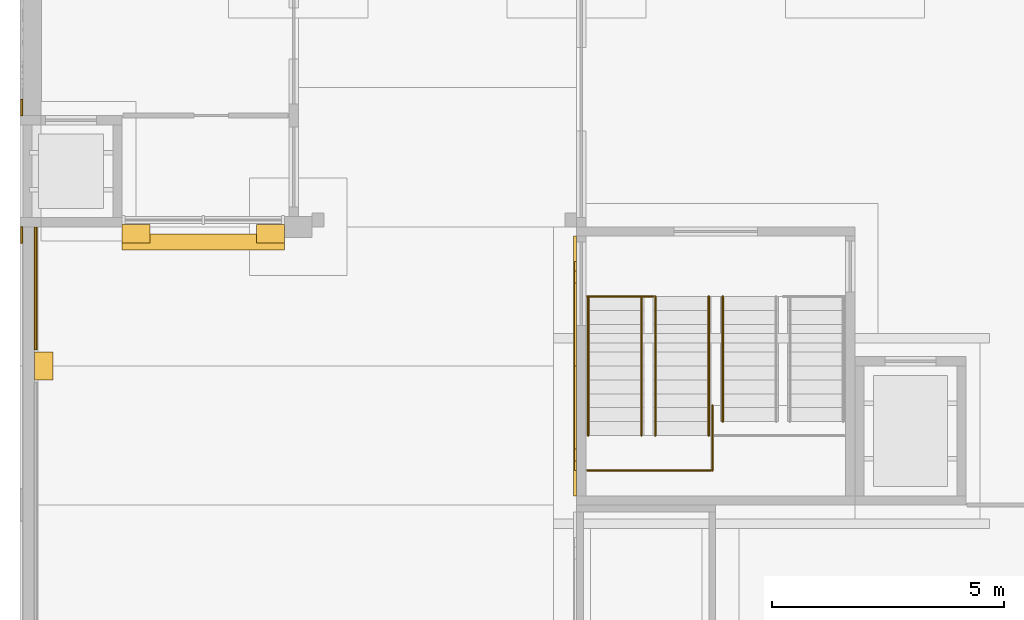
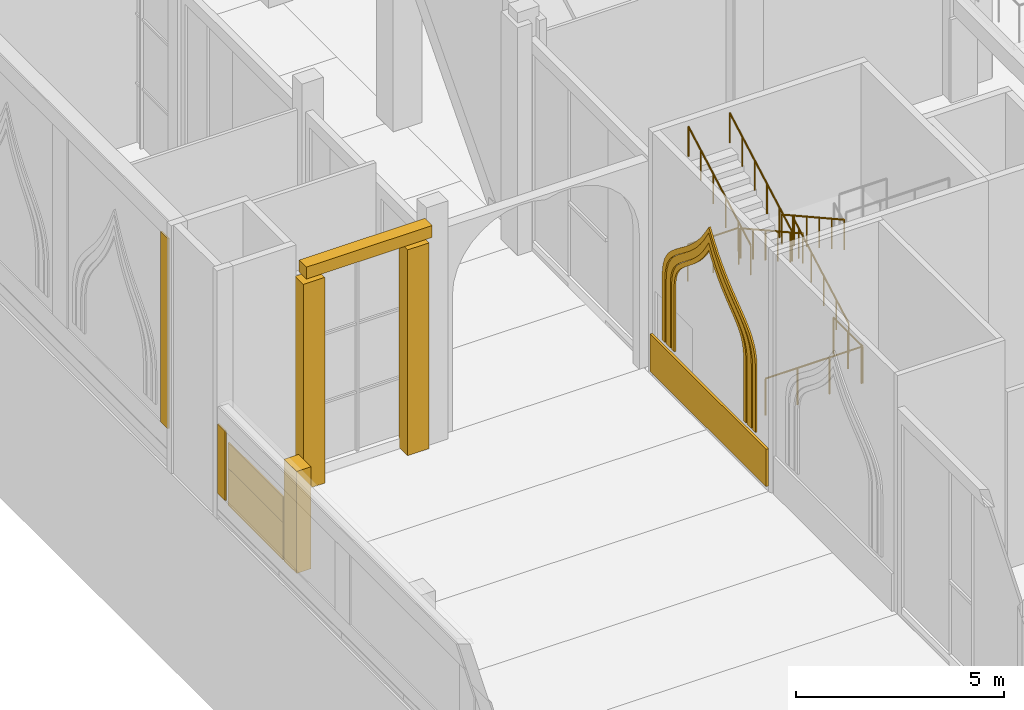
# One storey, part 82 of 95: 12 coverings, 8 railings.
"""IFC4 building model written with IfcOpenShell, lengths in metres."""

from ifc_helpers import new_model, si_unit, direction, frame, origin, origin_2d, place, context, subcontext, project, spatial, polyline, rectangle, circle, outline, extrude, material, layer, layer_set, type_object, element, save


model = new_model("IFC4")

# Units and contexts
model_context = context("Model", 3, precision=1e-05, world=origin(), true_north=direction((0.0, 1.0)))
body_context = subcontext(model_context, "Body", "Model", "MODEL_VIEW")
ifc_project = project(units=[si_unit("LENGTHUNIT", "METRE"), si_unit("AREAUNIT", "SQUARE_METRE"), si_unit("VOLUMEUNIT", "CUBIC_METRE"), si_unit("PLANEANGLEUNIT", "RADIAN"), si_unit("MASSUNIT", "GRAM", prefix="KILO")], contexts=[model_context])

# Site, building, storey
site_placement = place(None, origin())
site = spatial("IfcSite", under=ifc_project, at=site_placement, CompositionType="ELEMENT")
building_placement = place(site_placement, origin())
building = spatial("IfcBuilding", under=site, at=building_placement, Name="Saffron Lane Theatres", CompositionType="ELEMENT")
storey_placement = place(building_placement, origin())
storey = spatial("IfcBuildingStorey", under=building, at=storey_placement, Name="L00", CompositionType="ELEMENT", Elevation=0.0)

# Coverings
ifc_material_1 = material(Name="Masonry sandstone", Category="masonry")
ifc_layer_1 = layer(ifc_material_1, 0.050048828125)
ifc_layer_set_1 = layer_set([ifc_layer_1], Name="Masonry sandstone")
covering_type_1 = type_object("IfcCoveringType", Name="EX-ARCH FRAME RING SANDSTONE 50", PredefinedType="CLADDING", material=ifc_layer_set_1)
covering_1_placement = place(storey_placement, frame((12.0, 97.220947265625, 3.31103515625), z_axis=(1.0, 0.0, 0.0), x_axis=(0.0, -0.060212267817, -0.99818559537)))
element("IfcCovering", 1, at=covering_1_placement, inside=storey, type_object=covering_type_1, Name="Arch recess ring L00", PredefinedType="CLADDING", context=body_context, shape_type="SweptSolid", body=[
    extrude(outline(polyline([(0.0, 0.0), (0.18245996245064686, -1.734723475976807e-18), (2.0579571162514476, 0.11313320632846652), (2.050724587988245, 0.2330324526473327), (0.17912659666935885, 0.12013445049002722), (0.008910318017484561, 0.11989467290442692), (-0.13960380243034332, 0.14101992754420883), (-0.27042632246488074, 0.1810670310814375), (-0.3880257946657277, 0.2370760043565431), (-0.4986122624964559, 0.31062892209304366), (-0.603885402766164, 0.39746532206832463), (-0.708349375352586, 0.499270180830787), (-0.8142206528964551, 0.6122410309466604), (-0.9258563926685295, 0.7356258724131494), (-1.0450444730420934, 0.8666264289383572), (-1.1755664544134807, 1.003057915110166), (-1.3213214992646054, 1.144685126757414), (-1.4861878630399454, 1.2868716016560897), (-1.6721445275018532, 1.4299871330308516), (-1.882826050439687, 1.5694099589183848), (-2.040617995422439, 1.659192944482378), (-1.8947626621261104, 1.767292454875538), (-1.7023682634960484, 1.931029511956845), (-1.5349633280344688, 2.0954604213430774), (-1.3883840885669005, 2.256433829413242), (-1.2607103643737818, 2.4145547335631594), (-1.1475346906255224, 2.5656864804325337), (-1.0449579048402078, 2.7100642741925265), (-0.9489632424503434, 2.8459737377733414), (-0.8574394193472985, 2.9708517990542433), (-0.7659704772175246, 3.0844756674175486), (-0.6718989355993618, 3.1833368806434383), (-0.5709558387862367, 3.2696496246654263), (-0.4609417011053337, 3.339388641432058), (-0.3358816832642421, 3.394871018701731), (-0.19092502590522514, 3.4327205966009036), (-0.02197296967334153, 3.4539183725267932), (1.8496250216455448, 3.5668163746840986), (1.8423924933823423, 3.6867156210029646), (-0.03310466041845825, 3.5735824146744983), (-0.2142415994063242, 3.5516496257137304), (-0.3749882967892865, 3.5079558775061255), (-0.5175148377187658, 3.446039032792898), (-0.6428401135973336, 3.366571383496617), (-0.754264496287823, 3.2715551051242904), (-0.8570526391547226, 3.163118468752466), (-0.9530868289122405, 3.044082944417697), (-1.0463985303885692, 2.9164066068448986), (-1.1423196914749458, 2.7792786549884854), (-1.2440392887253622, 2.63690924351224), (-1.3551392856631255, 2.487859380230101), (-1.480212043730155, 2.335276227621187), (-1.6211630433853152, 2.1783110906345584), (-1.7837590335640314, 2.0193065374804875), (-1.9696239030646943, 1.860855040801105), (-2.26018958268524, 1.6459480095938712), (-1.9458976822988232, 1.4675270254379955), (-1.742333698918291, 1.332566545353323), (-1.5618033906885445, 1.1942599592614251), (-1.4030062745465393, 1.0553761429328026), (-1.2604990072921967, 0.9189338765698157), (-1.132287906902467, 0.7843196692926863), (-1.0141922192349622, 0.6552098929656452), (-0.9024829781593999, 0.530606563223558), (-0.7945004165069005, 0.415072640986949), (-0.6848537853434367, 0.30844413668092546), (-0.569776224533372, 0.21314953337272505), (-0.44773825361924, 0.13221610474866663), (-0.31376922445050365, 0.06838953283459553), (-0.16477456881409536, 0.023079409295178335), (0.0, 0.0)])), origin(), (0.0, 0.0, -1.0), 0.050048828125),
])
covering_2_placement = place(storey_placement, frame((12.0, 96.962890625, 3.333984375), z_axis=(1.0, 0.0, 0.0), x_axis=(0.0, -0.063270109204, -0.997996439513)))
element("IfcCovering", 2, at=covering_2_placement, inside=storey, type_object=covering_type_1, Name="Arch recess ring L00", PredefinedType="CLADDING", context=body_context, shape_type="SweptSolid", body=[
    extrude(outline(polyline([(0.0, 0.0), (0.20451131328636926, 0.0), (2.0806276668637502, 0.11894039083684353), (2.067976734383832, 0.31849094844461956), (0.19770801619422412, 0.19992128090389083), (0.0144407216005487, 0.20053419842883544), (-0.1432761019235517, 0.22258203382804242), (-0.2812437493538364, 0.2649631093819253), (-0.40748727254448935, 0.3269240290838356), (-0.5257351802433071, 0.4055374778503005), (-0.6390348645762146, 0.5025673058291871), (-0.7523176448594566, 0.6147653124425081), (-0.8697101493553678, 0.7416252505476917), (-0.9917579708393627, 0.8801769620388366), (-1.124428821741667, 1.0280850650198985), (-1.2693046879516765, 1.1832922200669196), (-1.4318505321466313, 1.3432502874173748), (-1.61456115889787, 1.5048655345333244), (-1.820983212694718, 1.6662006990332623), (-2.0556688375324716, 1.8257440342686455), (-2.188717697959195, 1.9024406220928562), (-2.066419813119802, 1.9953254605140816), (-1.8537613307928715, 2.18322912790225), (-1.6693664195068467, 2.369340966025863), (-1.5085284672263832, 2.552736206788559), (-1.367484574206089, 2.731940991928976), (-1.2433692125785105, 2.9042014185972795), (-1.1304393771943213, 3.067679900015165), (-1.0268659333000492, 3.2205353520147404), (-0.9264340196013918, 3.3612047329002017), (-0.8282273200268198, 3.486810565389676), (-0.728088312705989, 3.597371793676754), (-0.6207149550265398, 3.69028898295165), (-0.5032452165106046, 3.766722100760383), (-0.37179612037033916, 3.82716194744152), (-0.2181263594954924, 3.868950798358842), (-0.036403745302295454, 3.8927030282829542), (1.833864972887312, 4.011272695823683), (1.8212140404073933, 4.2108232534314585), (-0.05490231316998792, 4.091882862594615), (-0.25777626523185, 4.066055806298615), (-0.4399925942549357, 4.015362892944497), (-0.6007775027933451, 3.9430333789166583), (-0.7421419898590216, 3.8499182956810216), (-0.8672570220099287, 3.7397307051813806), (-0.9817455273529403, 3.6162728527959676), (-1.0873594066215049, 3.480167565320222), (-1.1904062019339534, 3.334439793296892), (-1.295867070408131, 3.1804861609673156), (-1.405753011055981, 3.0191576997974177), (-1.527512589348264, 2.8521838689374683), (-1.6619231001204655, 2.6802492823989263), (-1.8152148514708935, 2.5051606333520864), (-1.9914252882274395, 2.3288636362032866), (-2.193447334475981, 2.15068562635549), (-2.5481036228327842, 1.8796565861857983), (-2.162059428738258, 1.6555858301906534), (-1.9391533034752475, 1.5043470465272013), (-1.7420124472922178, 1.3504962957412796), (-1.567913850947345, 1.1973864086493233), (-1.4128664100247506, 1.0438026252684656), (-1.2709950929182379, 0.8935422363416936), (-1.1416152856163493, 0.747382536704494), (-1.0175564651204108, 0.6079797937474251), (-0.896931206850517, 0.47643218780048757), (-0.77497460894489, 0.35475421526521117), (-0.6458116397973328, 0.2467431668845833), (-0.5077830794984254, 0.15323812471010928), (-0.3557911912774569, 0.07872099349623404), (-0.18709751908859773, 0.026300952584901824), (0.0, 0.0)])), origin(), (0.0, 0.0, -1.0), 0.050048828125),
])
covering_3_placement = place(storey_placement, frame((12.0, 96.763916015625, 3.34912109375), z_axis=(1.0, 0.0, 0.0), x_axis=(0.0, -0.063067105822, -0.998009288616)))
element("IfcCovering", 3, at=covering_3_placement, inside=storey, type_object=covering_type_1, Name="Arch recess ring L00", PredefinedType="CLADDING", context=body_context, shape_type="SweptSolid", body=[
    extrude(outline(polyline([(0.0, 0.0), (0.22065410238359984, 0.0), (2.095819992321758, 0.11849717929764414), (2.08699737229349, 0.2581112716747965), (0.21572995613898713, 0.13986044825926805), (0.01120324984086172, 0.1401457024385599), (-0.16661464303161863, 0.166826152522514), (-0.32408683559152085, 0.21607490839936183), (-0.46710723024222456, 0.28825340008036515), (-0.6001051004476012, 0.3799015700062919), (-0.7281663985634338, 0.4902087668589081), (-0.8536968762192425, 0.6185337089889348), (-0.9827851974313513, 0.7605775943042785), (-1.1168470981407341, 0.9155170755147107), (-1.261591713839184, 1.080789727293752), (-1.418829706234838, 1.2540794801970379), (-1.5953961004210881, 1.4312849950160573), (-1.7941531627651468, 1.6112468863933098), (-2.017809187207904, 1.7903692228565102), (-2.272363155580528, 1.966805145670982), (-2.4713360494485013, 2.0843733579964816), (-2.288745821741221, 2.2260536522840537), (-2.0584271132717276, 2.4331300879366635), (-1.859098732187894, 2.6389820376094155), (-1.684576929746966, 2.8425325046992453), (-1.5317222892143505, 3.04055509155704), (-1.3975493662817773, 3.232259946648473), (-1.2747612185768877, 3.414438770837703), (-1.1612700340241646, 3.5850218505624816), (-1.0510895267644345, 3.7421858281426754), (-0.9427115774009303, 3.8852921231996427), (-0.8295548101530967, 4.010842590258168), (-0.7091518844208844, 4.118503892521613), (-0.5763552588779816, 4.208112062862301), (-0.42633533175207877, 4.2767921389410235), (-0.2532905840955898, 4.325644618415389), (-0.050426780001745275, 4.35167406227577), (1.8208406361527578, 4.469924885691299), (1.8120180161244899, 4.609538978068451), (-0.06314787381366846, 4.491041798770807), (-0.28204669053719406, 4.463265173062264), (-0.4748093632101681, 4.409007991296921), (-0.6452138889458251, 4.329988531727125), (-0.7951660141787333, 4.229266523603667), (-0.9280950019828605, 4.110783931167464), (-1.0496511001501079, 3.9749175816724094), (-1.1644664475692028, 3.825288798534778), (-1.2765780932074908, 3.6638441173757603), (-1.3909823072355991, 3.4922248302345396), (-1.5116545496503437, 3.3114028542863916), (-1.6450992100191186, 3.1236580619491425), (-1.7933887031748097, 2.9308165121735614), (-1.9622040713945823, 2.7337423414364994), (-2.1560542756261065, 2.5341076362624033), (-2.3787173129826167, 2.333630674903618), (-2.718645480099129, 2.068745156724768), (-2.3480768001444785, 1.8487579980615008), (-2.101948365016449, 1.6779053315271268), (-1.8845095850723483, 1.5042611719162358), (-1.6922288190810568, 1.330005714760139), (-1.5208434619770204, 1.1573653473180439), (-1.3648264439093958, 0.987912479227884), (-1.2223517059274132, 0.8237195253225451), (-1.0872535978015876, 0.667867014636728), (-0.9557106319614249, 0.5218195761099406), (-0.8229728941184138, 0.38783439148665516), (-0.6852804856725893, 0.26835070815229334), (-0.5384939794994548, 0.16754415025789063), (-0.37705551126290276, 0.08649981821842358), (-0.19805932413846122, 0.029560004583244877), (0.0, 0.0)])), origin(), (0.0, 0.0, -1.0), 0.050048828125),
])
ifc_material_2 = material(Name="Masonry sandstone", Category="masonry")
ifc_layer_2 = layer(ifc_material_2, 0.0400390625)
ifc_layer_set_2 = layer_set([ifc_layer_2], Name="Masonry sandstone")
covering_type_2 = type_object("IfcCoveringType", Name="EX-BANDING COURSE SANDSTONE 40", PredefinedType="CLADDING", material=ifc_layer_set_2)
covering_4_placement = place(storey_placement, frame((0.330078125, 100.675048828125, 1.10009765625), z_axis=(0.0, 0.0, 1.0), x_axis=(0.0, 1.0, 0.0)))
element("IfcCovering", 4, at=covering_4_placement, inside=storey, type_object=covering_type_2, Name="Banding course L00", PredefinedType="CLADDING", context=body_context, shape_type="SweptSolid", body=[
    extrude(rectangle(XDim=2.64990234375, YDim=0.0400390625, at=origin_2d()), origin(), (0.0, 0.0, 1.0), 0.75),
])
ifc_material_3 = material(Name="Masonry sandstone", Category="masonry")
ifc_layer_3 = layer(ifc_material_3, 0.39990234375)
ifc_layer_set_3 = layer_set([ifc_layer_3], Name="Masonry sandstone")
covering_type_3 = type_object("IfcCoveringType", Name="EX-BOUNDARY PILASTER SANDSTONE 400", PredefinedType="CLADDING", material=ifc_layer_set_3)
covering_5_placement = place(storey_placement, frame((0.510009765625, 99.0, 0.0), z_axis=(0.0, 0.0, 1.0), x_axis=(0.0, 1.0, 0.0)))
element("IfcCovering", 5, at=covering_5_placement, inside=storey, type_object=covering_type_3, Name="Boundary wall pilaster L00", PredefinedType="CLADDING", context=body_context, shape_type="SweptSolid", body=[
    extrude(rectangle(XDim=0.60009765625, YDim=0.39990234375, at=origin_2d()), origin(), (0.0, 0.0, 1.0), 3.0),
])
ifc_material_4 = material(Name="Face brick cladding, pale buff", Category="masonry")
ifc_layer_4 = layer(ifc_material_4, 0.0400390625)
ifc_layer_set_4 = layer_set([ifc_layer_4], Name="Face brick cladding, pale buff")
covering_type_4 = type_object("IfcCoveringType", Name="EX-FACE BRICK SKIN PALE BUFF 40", PredefinedType="CLADDING", material=ifc_layer_set_4)
covering_6_placement = place(storey_placement, frame((0.0400390625, 104.574951171875, 0.89990234375), z_axis=(0.0, 0.0, 1.0), x_axis=(0.0, 1.0, 0.0)))
element("IfcCovering", 6, at=covering_6_placement, inside=storey, type_object=covering_type_4, Name="Face brick cladding, pale buff L00", PredefinedType="CLADDING", context=body_context, shape_type="SweptSolid", body=[
    extrude(rectangle(XDim=0.35009765625, YDim=0.0400390625, at=origin_2d()), origin(), (0.0, 0.0, 1.0), 5.60009765625),
])
covering_7_placement = place(storey_placement, frame((0.0400390625, 101.824951171875, 0.4501953125), z_axis=(0.0, 0.0, 1.0), x_axis=(0.0, 1.0, 0.0)))
element("IfcCovering", 7, at=covering_7_placement, inside=storey, type_object=covering_type_4, Name="Face brick cladding, pale buff L00", PredefinedType="CLADDING", context=body_context, shape_type="SweptSolid", body=[
    extrude(rectangle(XDim=0.35009765625, YDim=0.0400390625, at=origin_2d()), origin(), (0.0, 0.0, 1.0), 2.050048828125),
])
ifc_material_5 = material(Name="Masonry sandstone", Category="masonry")
ifc_layer_5 = layer(ifc_material_5, 0.39990234375)
ifc_layer_set_5 = layer_set([ifc_layer_5], Name="Masonry sandstone")
covering_type_5 = type_object("IfcCoveringType", Name="EX-PILASTER PIER SANDSTONE 400", PredefinedType="CLADDING", material=ifc_layer_set_5)
for number, where, z_axis, x_axis, name in (
    (8, (5.39990234375, 101.85009765625, 0.0), (0.0, 0.0, 1.0), (-1.0, 0.0, 0.0), "Pilaster pier L00"),
    (9, (2.5, 101.85009765625, 0.0), (0.0, 0.0, 1.0), (-1.0, 0.0, 0.0), "Pilaster pier L00"),
):
    element("IfcCovering", number, at=place(storey_placement, frame(where, z_axis=z_axis, x_axis=x_axis)), inside=storey, type_object=covering_type_5, Name=name, PredefinedType="CLADDING", context=body_context, shape_type="SweptSolid", body=[
        extrude(rectangle(XDim=0.60009765625, YDim=0.39990234375, at=origin_2d()), origin(), (0.0, 0.0, 1.0), 6.050048828125),
    ])
ifc_material_6 = material(Name="Masonry sandstone", Category="masonry")
ifc_layer_6 = layer(ifc_material_6, 0.070068359375)
ifc_layer_set_6 = layer_set([ifc_layer_6], Name="Masonry sandstone")
covering_type_6 = type_object("IfcCoveringType", Name="EX-PLINTH COURSE SANDSTONE 70", PredefinedType="CLADDING", material=ifc_layer_set_6)
covering_8_placement = place(storey_placement, frame((11.965087890625, 99.0, 0.0), z_axis=(0.0, 0.0, 1.0), x_axis=(0.0, 1.0, 0.0)))
element("IfcCovering", 10, at=covering_8_placement, inside=storey, type_object=covering_type_6, Name="Plinth course L00", PredefinedType="CLADDING", context=body_context, shape_type="SweptSolid", body=[
    extrude(rectangle(XDim=5.60009765625, YDim=0.070068359375, at=origin_2d()), origin(), (0.0, 0.0, 1.0), 1.10009765625),
])
covering_9_placement = place(storey_placement, frame((0.344970703125, 100.675048828125, 0.0), z_axis=(0.0, 0.0, 1.0), x_axis=(0.0, 1.0, 0.0)))
element("IfcCovering", 11, at=covering_9_placement, inside=storey, type_object=covering_type_6, Name="Plinth course L00", PredefinedType="CLADDING", context=body_context, shape_type="SweptSolid", body=[
    extrude(rectangle(XDim=2.64990234375, YDim=0.070068359375, at=origin_2d()), origin(), (0.0, 0.0, 1.0), 1.10009765625),
])
ifc_material_7 = material(Name="Masonry sandstone", Category="masonry")
ifc_layer_7 = layer(ifc_material_7, 0.300048828125)
ifc_layer_set_7 = layer_set([ifc_layer_7], Name="Masonry sandstone")
covering_type_7 = type_object("IfcCoveringType", Name="EX-STRING COURSE SANDSTONE 350", PredefinedType="CLADDING", material=ifc_layer_set_7)
covering_10_placement = place(storey_placement, frame((3.949951171875, 101.675048828125, 6.300048828125), z_axis=(0.0, 0.0, 1.0), x_axis=(-1.0, 0.0, 0.0)))
element("IfcCovering", 12, at=covering_10_placement, inside=storey, type_object=covering_type_7, Name="String course L00", PredefinedType="CLADDING", context=body_context, shape_type="SweptSolid", body=[
    extrude(rectangle(XDim=3.5, YDim=0.35009765625, at=origin_2d()), origin(), (0.0, 0.0, 1.0), 0.35009765625),
])

# Railings
ifc_material_8 = material(Name="Steel Grade 350", Category="steel")
railing_type_1 = type_object("IfcRailingType", Name="VC-GUARD 1100", PredefinedType="GUARDRAIL", material=ifc_material_8)
railing_1_placement = place(storey_placement, frame((14.89990234375, 96.75, 1.666748046875)))
element("IfcRailing", 13, at=railing_1_placement, inside=storey, type_object=railing_type_1, Name="Brick Block West Stair landing guard 1N1s", PredefinedType="GUARDRAIL", context=body_context, shape_type="SweptSolid", body=[
    extrude(circle(Radius=0.02392578125, at=origin_2d()), frame((0.0, 0.0, 1.076171875), z_axis=(-1.0, 0.0, 0.0), x_axis=(0.0, -1.0, 0.0)), (0.0, 0.0, 1.0), 2.669921875),
    extrude(circle(Radius=0.02099609375, at=origin_2d()), origin(), (0.0, 0.0, 1.0), 1.052001953125),
    extrude(circle(Radius=0.02099609375, at=origin_2d()), frame((-0.889892578125, 0.0, 0.0)), (0.0, 0.0, 1.0), 1.052001953125),
    extrude(circle(Radius=0.02099609375, at=origin_2d()), frame((-1.780029296875, 0.0, 0.0)), (0.0, 0.0, 1.0), 1.052001953125),
    extrude(circle(Radius=0.02099609375, at=origin_2d()), frame((-2.669921875, 0.0, 0.0)), (0.0, 0.0, 1.0), 1.052001953125),
])
railing_2_placement = place(storey_placement, frame((14.929931640625, 98.14990234375, 1.666748046875)))
element("IfcRailing", 14, at=railing_2_placement, inside=storey, type_object=railing_type_1, Name="Brick Block West Stair landing guard 1N1e", PredefinedType="GUARDRAIL", context=body_context, shape_type="SweptSolid", body=[
    extrude(circle(Radius=0.02392578125, at=origin_2d()), frame((0.0, 0.0, 1.076171875), z_axis=(0.0, -1.0, 0.0), x_axis=(1.0, 0.0, 0.0)), (0.0, 0.0, 1.0), 1.39990234375),
    extrude(circle(Radius=0.02099609375, at=origin_2d()), origin(), (0.0, 0.0, 1.0), 1.052001953125),
    extrude(circle(Radius=0.02099609375, at=origin_2d()), frame((0.0, -0.699951171875, 0.0)), (0.0, 0.0, 1.0), 1.052001953125),
    extrude(circle(Radius=0.02099609375, at=origin_2d()), frame((0.0, -1.39990234375, 0.0)), (0.0, 0.0, 1.0), 1.052001953125),
])
railing_3_placement = place(storey_placement, frame((13.64990234375, 100.5, 3.333251953125)))
element("IfcRailing", 15, at=railing_3_placement, inside=storey, type_object=railing_type_1, Name="Brick Block West Stair landing guard 1S2e", PredefinedType="GUARDRAIL", context=body_context, shape_type="SweptSolid", body=[
    extrude(circle(Radius=0.02392578125, at=origin_2d()), frame((0.0, 0.0, 1.076171875), z_axis=(-1.0, 0.0, 0.0), x_axis=(0.0, -1.0, 0.0)), (0.0, 0.0, 1.0), 1.419921875),
    extrude(circle(Radius=0.02099609375, at=origin_2d()), origin(), (0.0, 0.0, 1.0), 1.052001953125),
    extrude(circle(Radius=0.02099609375, at=origin_2d()), frame((-0.7099609375, 0.0, 0.0)), (0.0, 0.0, 1.0), 1.052001953125),
    extrude(circle(Radius=0.02099609375, at=origin_2d()), frame((-1.419921875, 0.0, 0.0)), (0.0, 0.0, 1.0), 1.052001953125),
])
ifc_material_9 = material(Name="Steel Grade 350", Category="steel")
railing_type_2 = type_object("IfcRailingType", Name="VC-HANDRAIL 900", PredefinedType="HANDRAIL", material=ifc_material_9)
railing_4_placement = place(storey_placement, frame((15.14990234375, 97.800048828125, 1.833251953125)))
element("IfcRailing", 16, at=railing_4_placement, inside=storey, type_object=railing_type_2, Name="Brick Block West Stair handrail 1.2b", PredefinedType="HANDRAIL", context=body_context, shape_type="SweptSolid", body=[
    extrude(circle(Radius=0.02392578125, at=origin_2d()), frame((0.0, 0.0, 0.8759765625), z_axis=(0.0, 0.874006220275, 0.485914732151), x_axis=(-1.0, 0.0, 0.0)), (0.0, 0.0, 1.0), 0.686279296875),
    extrude(circle(Radius=0.02392578125, at=origin_2d()), frame((0.0, 0.599853515625, 1.20947265625), z_axis=(0.0, 0.874241147926, 0.485491931212), x_axis=(-1.0, 0.0, 0.0)), (0.0, 0.0, 1.0), 0.6865234375),
    extrude(circle(Radius=0.02392578125, at=origin_2d()), frame((0.0, 1.199951171875, 1.54248046875), z_axis=(0.0, 0.874241147926, 0.485491931212), x_axis=(-1.0, 0.0, 0.0)), (0.0, 0.0, 1.0), 0.6865234375),
    extrude(circle(Radius=0.02392578125, at=origin_2d()), frame((0.0, 1.800048828125, 1.8759765625), z_axis=(0.0, 0.874006220275, 0.485914732151), x_axis=(-1.0, 0.0, 0.0)), (0.0, 0.0, 1.0), 0.686279296875),
    extrude(circle(Radius=0.02392578125, at=origin_2d()), frame((0.0, 2.39990234375, 2.20947265625), z_axis=(0.0, 0.87439209197, 0.485220021744), x_axis=(-1.0, 0.0, 0.0)), (0.0, 0.0, 1.0), 0.34326171875),
    extrude(circle(Radius=0.02099609375, at=origin_2d()), origin(), (0.0, 0.0, 1.0), 0.851806640625),
    extrude(circle(Radius=0.02099609375, at=origin_2d()), frame((0.0, 0.599853515625, 0.33349609375)), (0.0, 0.0, 1.0), 0.851806640625),
    extrude(circle(Radius=0.02099609375, at=origin_2d()), frame((0.0, 1.199951171875, 0.666748046875)), (0.0, 0.0, 1.0), 0.851806640625),
    extrude(circle(Radius=0.02099609375, at=origin_2d()), frame((0.0, 1.800048828125, 1.0)), (0.0, 0.0, 1.0), 0.851806640625),
    extrude(circle(Radius=0.02099609375, at=origin_2d()), frame((0.0, 2.39990234375, 1.33349609375)), (0.0, 0.0, 1.0), 0.851806640625),
    extrude(circle(Radius=0.02099609375, at=origin_2d()), frame((0.0, 2.699951171875, 1.5)), (0.0, 0.0, 1.0), 0.851806640625),
])
railing_5_placement = place(storey_placement, frame((14.85009765625, 100.5, 3.5)))
element("IfcRailing", 17, at=railing_5_placement, inside=storey, type_object=railing_type_2, Name="Brick Block West Stair handrail 1.3a", PredefinedType="HANDRAIL", context=body_context, shape_type="SweptSolid", body=[
    extrude(circle(Radius=0.02392578125, at=origin_2d()), frame((0.0, 0.0, 0.8759765625), z_axis=(0.0, -0.874241147926, 0.485491931212), x_axis=(1.0, 0.0, 0.0)), (0.0, 0.0, 1.0), 0.6865234375),
    extrude(circle(Radius=0.02392578125, at=origin_2d()), frame((0.0, -0.60009765625, 1.208984375), z_axis=(0.0, -0.874006220275, 0.485914732151), x_axis=(1.0, 0.0, 0.0)), (0.0, 0.0, 1.0), 0.686279296875),
    extrude(circle(Radius=0.02392578125, at=origin_2d()), frame((0.0, -1.199951171875, 1.54248046875), z_axis=(0.0, -0.874241147926, 0.485491931212), x_axis=(1.0, 0.0, 0.0)), (0.0, 0.0, 1.0), 0.6865234375),
    extrude(circle(Radius=0.02392578125, at=origin_2d()), frame((0.0, -1.800048828125, 1.8759765625), z_axis=(0.0, -0.874157276122, 0.485642931179), x_axis=(1.0, 0.0, 0.0)), (0.0, 0.0, 1.0), 0.686279296875),
    extrude(circle(Radius=0.02392578125, at=origin_2d()), frame((0.0, -2.39990234375, 2.208984375), z_axis=(0.0, -0.874090171491, 0.485763699861), x_axis=(1.0, 0.0, 0.0)), (0.0, 0.0, 1.0), 0.6865234375),
    extrude(circle(Radius=0.02099609375, at=origin_2d()), origin(), (0.0, 0.0, 1.0), 0.851806640625),
    extrude(circle(Radius=0.02099609375, at=origin_2d()), frame((0.0, -0.60009765625, 0.333251953125)), (0.0, 0.0, 1.0), 0.851806640625),
    extrude(circle(Radius=0.02099609375, at=origin_2d()), frame((0.0, -1.199951171875, 0.666748046875)), (0.0, 0.0, 1.0), 0.851806640625),
    extrude(circle(Radius=0.02099609375, at=origin_2d()), frame((0.0, -1.800048828125, 1.0)), (0.0, 0.0, 1.0), 0.851806640625),
    extrude(circle(Radius=0.02099609375, at=origin_2d()), frame((0.0, -2.39990234375, 1.333251953125)), (0.0, 0.0, 1.0), 0.851806640625),
    extrude(circle(Radius=0.02099609375, at=origin_2d()), frame((0.0, -3.0, 1.666748046875)), (0.0, 0.0, 1.0), 0.851806640625),
])
railing_6_placement = place(storey_placement, frame((13.699951171875, 100.5, 3.5)))
element("IfcRailing", 18, at=railing_6_placement, inside=storey, type_object=railing_type_2, Name="Brick Block West Stair handrail 1.3b", PredefinedType="HANDRAIL", context=body_context, shape_type="SweptSolid", body=[
    extrude(circle(Radius=0.02392578125, at=origin_2d()), frame((0.0, 0.0, 0.8759765625), z_axis=(0.0, -0.874241147926, 0.485491931212), x_axis=(1.0, 0.0, 0.0)), (0.0, 0.0, 1.0), 0.6865234375),
    extrude(circle(Radius=0.02392578125, at=origin_2d()), frame((0.0, -0.60009765625, 1.208984375), z_axis=(0.0, -0.874006220275, 0.485914732151), x_axis=(1.0, 0.0, 0.0)), (0.0, 0.0, 1.0), 0.686279296875),
    extrude(circle(Radius=0.02392578125, at=origin_2d()), frame((0.0, -1.199951171875, 1.54248046875), z_axis=(0.0, -0.874241147926, 0.485491931212), x_axis=(1.0, 0.0, 0.0)), (0.0, 0.0, 1.0), 0.6865234375),
    extrude(circle(Radius=0.02392578125, at=origin_2d()), frame((0.0, -1.800048828125, 1.8759765625), z_axis=(0.0, -0.874157276122, 0.485642931179), x_axis=(1.0, 0.0, 0.0)), (0.0, 0.0, 1.0), 0.686279296875),
    extrude(circle(Radius=0.02392578125, at=origin_2d()), frame((0.0, -2.39990234375, 2.208984375), z_axis=(0.0, -0.874090171491, 0.485763699861), x_axis=(1.0, 0.0, 0.0)), (0.0, 0.0, 1.0), 0.6865234375),
    extrude(circle(Radius=0.02099609375, at=origin_2d()), origin(), (0.0, 0.0, 1.0), 0.851806640625),
    extrude(circle(Radius=0.02099609375, at=origin_2d()), frame((0.0, -0.60009765625, 0.333251953125)), (0.0, 0.0, 1.0), 0.851806640625),
    extrude(circle(Radius=0.02099609375, at=origin_2d()), frame((0.0, -1.199951171875, 0.666748046875)), (0.0, 0.0, 1.0), 0.851806640625),
    extrude(circle(Radius=0.02099609375, at=origin_2d()), frame((0.0, -1.800048828125, 1.0)), (0.0, 0.0, 1.0), 0.851806640625),
    extrude(circle(Radius=0.02099609375, at=origin_2d()), frame((0.0, -2.39990234375, 1.333251953125)), (0.0, 0.0, 1.0), 0.851806640625),
    extrude(circle(Radius=0.02099609375, at=origin_2d()), frame((0.0, -3.0, 1.666748046875)), (0.0, 0.0, 1.0), 0.851806640625),
])
railing_7_placement = place(storey_placement, frame((13.39990234375, 97.5, 5.333251953125)))
element("IfcRailing", 19, at=railing_7_placement, inside=storey, type_object=railing_type_2, Name="Brick Block West Stair handrail 1.4a", PredefinedType="HANDRAIL", context=body_context, shape_type="SweptSolid", body=[
    extrude(circle(Radius=0.02392578125, at=origin_2d()), frame((0.0, 0.0, 0.8759765625), z_axis=(0.0, 0.874090171491, 0.485763699861), x_axis=(-1.0, 0.0, 0.0)), (0.0, 0.0, 1.0), 0.6865234375),
    extrude(circle(Radius=0.02392578125, at=origin_2d()), frame((0.0, 0.60009765625, 1.20947265625), z_axis=(0.0, 0.874157276122, 0.485642931179), x_axis=(-1.0, 0.0, 0.0)), (0.0, 0.0, 1.0), 0.686279296875),
    extrude(circle(Radius=0.02392578125, at=origin_2d()), frame((0.0, 1.199951171875, 1.54248046875), z_axis=(0.0, 0.874241147926, 0.485491931212), x_axis=(-1.0, 0.0, 0.0)), (0.0, 0.0, 1.0), 0.6865234375),
    extrude(circle(Radius=0.02392578125, at=origin_2d()), frame((0.0, 1.800048828125, 1.8759765625), z_axis=(0.0, 0.874006220275, 0.485914732151), x_axis=(-1.0, 0.0, 0.0)), (0.0, 0.0, 1.0), 0.686279296875),
    extrude(circle(Radius=0.02392578125, at=origin_2d()), frame((0.0, 2.39990234375, 2.20947265625), z_axis=(0.0, 0.874241147926, 0.485491931212), x_axis=(-1.0, 0.0, 0.0)), (0.0, 0.0, 1.0), 0.6865234375),
    extrude(circle(Radius=0.02099609375, at=origin_2d()), origin(), (0.0, 0.0, 1.0), 0.851806640625),
    extrude(circle(Radius=0.02099609375, at=origin_2d()), frame((0.0, 0.60009765625, 0.33349609375)), (0.0, 0.0, 1.0), 0.851806640625),
    extrude(circle(Radius=0.02099609375, at=origin_2d()), frame((0.0, 1.199951171875, 0.666748046875)), (0.0, 0.0, 1.0), 0.851806640625),
    extrude(circle(Radius=0.02099609375, at=origin_2d()), frame((0.0, 1.800048828125, 1.0)), (0.0, 0.0, 1.0), 0.851806640625),
    extrude(circle(Radius=0.02099609375, at=origin_2d()), frame((0.0, 2.39990234375, 1.33349609375)), (0.0, 0.0, 1.0), 0.851806640625),
    extrude(circle(Radius=0.02099609375, at=origin_2d()), frame((0.0, 3.0, 1.666748046875)), (0.0, 0.0, 1.0), 0.851806640625),
])
railing_8_placement = place(storey_placement, frame((12.25, 97.5, 5.333251953125)))
element("IfcRailing", 20, at=railing_8_placement, inside=storey, type_object=railing_type_2, Name="Brick Block West Stair handrail 1.4b", PredefinedType="HANDRAIL", context=body_context, shape_type="SweptSolid", body=[
    extrude(circle(Radius=0.02392578125, at=origin_2d()), frame((0.0, 0.0, 0.8759765625), z_axis=(0.0, 0.874090171491, 0.485763699861), x_axis=(-1.0, 0.0, 0.0)), (0.0, 0.0, 1.0), 0.6865234375),
    extrude(circle(Radius=0.02392578125, at=origin_2d()), frame((0.0, 0.60009765625, 1.20947265625), z_axis=(0.0, 0.874157276122, 0.485642931179), x_axis=(-1.0, 0.0, 0.0)), (0.0, 0.0, 1.0), 0.686279296875),
    extrude(circle(Radius=0.02392578125, at=origin_2d()), frame((0.0, 1.199951171875, 1.54248046875), z_axis=(0.0, 0.874241147926, 0.485491931212), x_axis=(-1.0, 0.0, 0.0)), (0.0, 0.0, 1.0), 0.6865234375),
    extrude(circle(Radius=0.02392578125, at=origin_2d()), frame((0.0, 1.800048828125, 1.8759765625), z_axis=(0.0, 0.874006220275, 0.485914732151), x_axis=(-1.0, 0.0, 0.0)), (0.0, 0.0, 1.0), 0.686279296875),
    extrude(circle(Radius=0.02392578125, at=origin_2d()), frame((0.0, 2.39990234375, 2.20947265625), z_axis=(0.0, 0.874241147926, 0.485491931212), x_axis=(-1.0, 0.0, 0.0)), (0.0, 0.0, 1.0), 0.6865234375),
    extrude(circle(Radius=0.02099609375, at=origin_2d()), origin(), (0.0, 0.0, 1.0), 0.851806640625),
    extrude(circle(Radius=0.02099609375, at=origin_2d()), frame((0.0, 0.60009765625, 0.33349609375)), (0.0, 0.0, 1.0), 0.851806640625),
    extrude(circle(Radius=0.02099609375, at=origin_2d()), frame((0.0, 1.199951171875, 0.666748046875)), (0.0, 0.0, 1.0), 0.851806640625),
    extrude(circle(Radius=0.02099609375, at=origin_2d()), frame((0.0, 1.800048828125, 1.0)), (0.0, 0.0, 1.0), 0.851806640625),
    extrude(circle(Radius=0.02099609375, at=origin_2d()), frame((0.0, 2.39990234375, 1.33349609375)), (0.0, 0.0, 1.0), 0.851806640625),
    extrude(circle(Radius=0.02099609375, at=origin_2d()), frame((0.0, 3.0, 1.666748046875)), (0.0, 0.0, 1.0), 0.851806640625),
])

save(model, "model.ifc")
